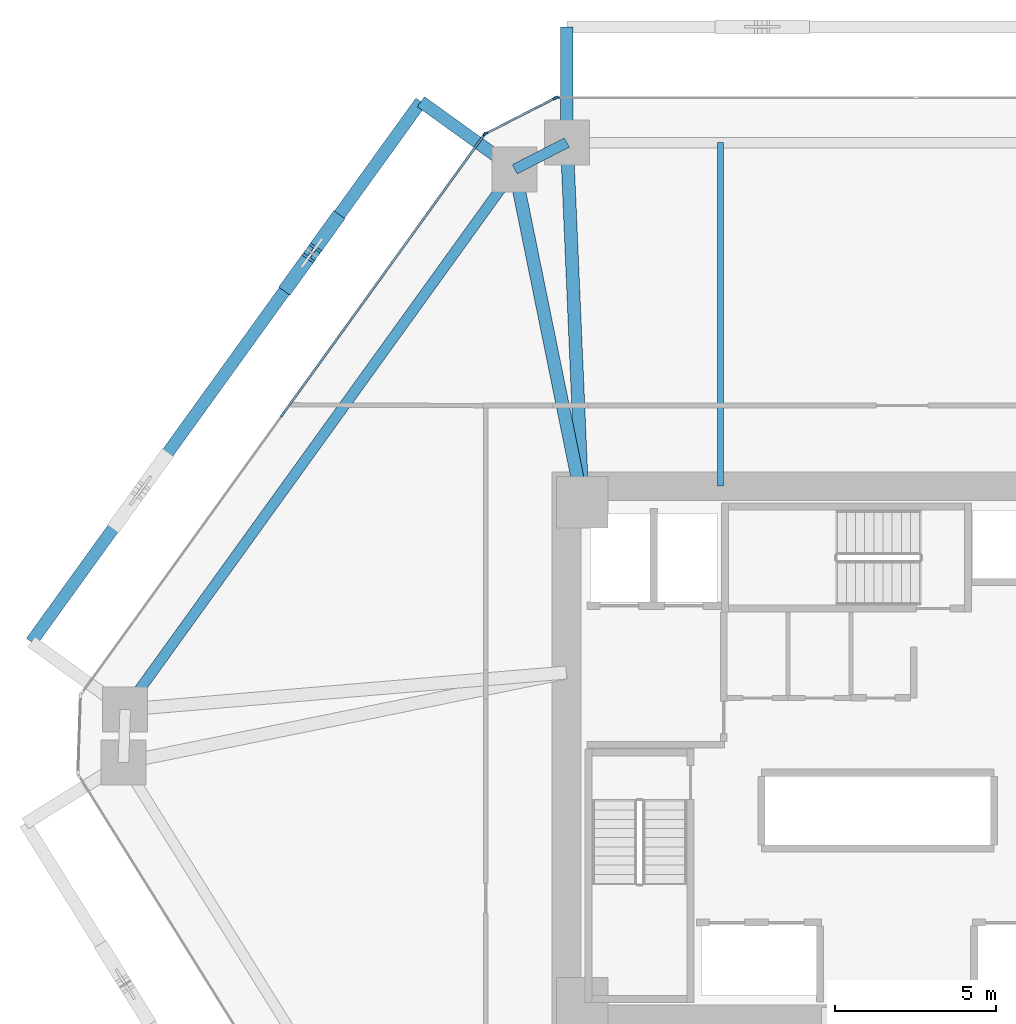
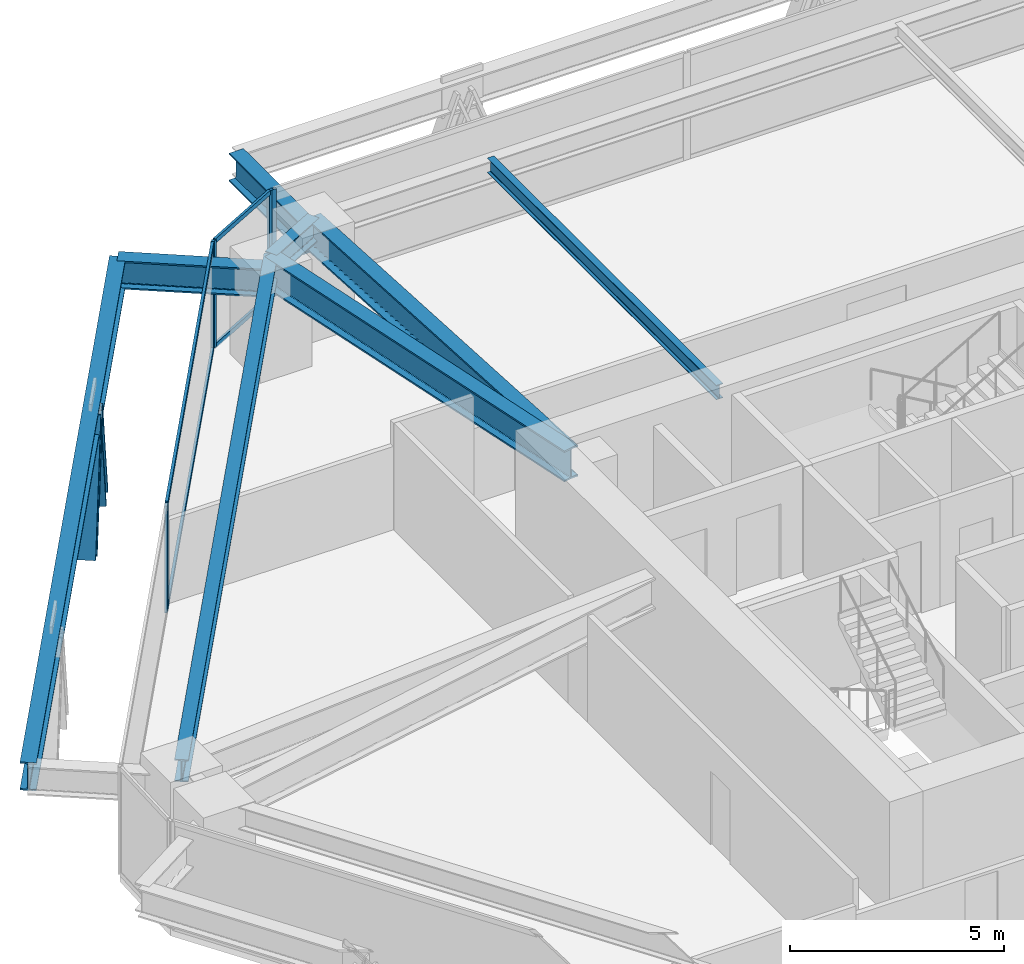
# One storey, part 7 of 16: 11 members, 8 beams, 3 elements without a shape of their own.
"""IFC4 building model written with IfcOpenShell, lengths in metres."""

from ifc_helpers import new_model, si_unit, direction, frame, origin, origin_2d, place, context, subcontext, project, spatial, rectangle, i_section, extrude, source, transform, mapped, material, layer, layer_set, material_profile, profile_set, type_object, type_shapes, element, aggregate, save


model = new_model("IFC4")

# Units and contexts
model_context = context("Model", 3, precision=1e-05, world=origin(), true_north=direction((0.0, 1.0)))
body_context = subcontext(model_context, "Body", "Model", "MODEL_VIEW")
ifc_project = project(units=[si_unit("LENGTHUNIT", "METRE"), si_unit("AREAUNIT", "SQUARE_METRE"), si_unit("VOLUMEUNIT", "CUBIC_METRE"), si_unit("PLANEANGLEUNIT", "RADIAN"), si_unit("MASSUNIT", "GRAM", prefix="KILO")], contexts=[model_context])

# Site, building, storey
site_placement = place(None, origin())
site = spatial("IfcSite", under=ifc_project, at=site_placement, CompositionType="ELEMENT")
building_placement = place(site_placement, origin())
building = spatial("IfcBuilding", under=site, at=building_placement, Name="Durnholm Broadcast Tower", CompositionType="ELEMENT")
storey_placement = place(building_placement, frame((0.0, 0.0, 65.39990234375)))
storey = spatial("IfcBuildingStorey", under=building, at=storey_placement, Name="L16", CompositionType="ELEMENT", Elevation=65.39990234375)

# Beams
ifc_material_1 = material(Name="Steel ASTM A992 Grade 50", Category="steel")
ifc_material_profile_1 = material_profile(ifc_material_1, i_section(OverallWidth=0.3291015625, OverallDepth=0.635009765625, WebThickness=0.017822265625, FlangeThickness=0.031005859375, FilletRadius=0.02783203125, at=origin_2d()), Name="W24X162")
ifc_profile_set_1 = profile_set([ifc_material_profile_1], Name="Steel ASTM A992 Grade 50")
beam_type_1 = type_object("IfcBeamType", Name="STL-SP-W24X162", PredefinedType="SPANDREL", material=ifc_profile_set_1)
shared_shape_1 = source(origin(), body_context, "Body", "SweptSolid", [
    extrude(i_section(OverallWidth=0.3291015625, OverallDepth=0.635009765625, WebThickness=0.017822265625, FlangeThickness=0.031005859375, FilletRadius=0.02783203125, at=origin_2d()), origin(), (0.0, 0.0, 1.0), 20.737060546875),
])
beam_1_placement = place(storey_placement, frame((-24.034912109375, 1.347412109375, 2.7275390625), z_axis=(0.584821933191, 0.811161701795, 0.0), x_axis=(-0.811161701795, 0.584821933191, 0.0)))
element("IfcBeam", 1, at=beam_1_placement, inside=storey, type_object=beam_type_1, Name="L16 perimeter spandrel girder 03", PredefinedType="SPANDREL", context=body_context, shape_type="MappedRepresentation", body=[
    mapped(shared_shape_1, transform((0.0, 0.0, 0.0), x_axis=(1.0, 0.0, 0.0), y_axis=(0.0, 1.0, 0.0), z_axis=(0.0, 0.0, 1.0), scale=1.0)),
])
shared_shape_2 = source(origin(), body_context, "Body", "SweptSolid", [
    extrude(i_section(OverallWidth=0.3291015625, OverallDepth=0.635009765625, WebThickness=0.017822265625, FlangeThickness=0.031005859375, FilletRadius=0.02783203125, at=origin_2d()), origin(), (0.0, 0.0, 1.0), 1.8251953125),
])
type_shapes(beam_type_1, [shared_shape_1, shared_shape_2])
beam_2_placement = place(storey_placement, frame((-11.907470703125, 18.16845703125, 2.7275390625), z_axis=(0.890187609501, 0.455594139438, 0.0), x_axis=(-0.455594139438, 0.890187609501, 0.0)))
element("IfcBeam", 2, at=beam_2_placement, inside=storey, type_object=beam_type_1, Name="L16 perimeter spandrel girder 04", PredefinedType="SPANDREL", context=body_context, shape_type="MappedRepresentation", body=[
    mapped(shared_shape_2, transform((0.0, 0.0, 0.0), x_axis=(1.0, 0.0, 0.0), y_axis=(0.0, 1.0, 0.0), z_axis=(0.0, 0.0, 1.0), scale=1.0)),
])
ifc_material_profile_2 = material_profile(ifc_material_1, i_section(OverallWidth=0.404052734375, OverallDepth=0.885009765625, WebThickness=0.0244140625, FlangeThickness=0.0439453125, FilletRadius=0.03564453125, at=origin_2d()), Name="W33X291")
ifc_profile_set_2 = profile_set([ifc_material_profile_2], Name="Steel ASTM A992 Grade 50")
beam_type_2 = type_object("IfcBeamType", Name="STL-GR-W33X291", PredefinedType="USERDEFINED", material=ifc_profile_set_2)
shared_shape_3 = source(origin(), body_context, "Body", "SweptSolid", [
    extrude(i_section(OverallWidth=0.404052734375, OverallDepth=0.885009765625, WebThickness=0.0244140625, FlangeThickness=0.0439453125, FilletRadius=0.03564453125, at=origin_2d()), origin(), (0.0, 0.0, 1.0), 10.580322265625),
])
beam_3_placement = place(storey_placement, frame((-9.800048828125, 7.800048828125, 2.6025390625), z_axis=(-0.199181458925, 0.979962625012, 0.0), x_axis=(-0.979962625012, -0.199181458925, 0.0)))
element("IfcBeam", 3, at=beam_3_placement, inside=storey, type_object=beam_type_2, Name="L16 radial primary floor girder 04", ObjectType="GIRDER", PredefinedType="USERDEFINED", context=body_context, shape_type="MappedRepresentation", body=[
    mapped(shared_shape_3, transform((0.0, 0.0, 0.0), x_axis=(1.0, 0.0, 0.0), y_axis=(0.0, 1.0, 0.0), z_axis=(0.0, 0.0, 1.0), scale=1.0)),
])
shared_shape_4 = source(origin(), body_context, "Body", "SweptSolid", [
    extrude(i_section(OverallWidth=0.404052734375, OverallDepth=0.885009765625, WebThickness=0.0244140625, FlangeThickness=0.0439453125, FilletRadius=0.03564453125, at=origin_2d()), origin(), (0.0, 0.0, 1.0), 11.21044921875),
])
type_shapes(beam_type_2, [shared_shape_3, shared_shape_4])
beam_4_placement = place(storey_placement, frame((-9.800048828125, 7.800048828125, 2.6025390625), z_axis=(-0.043055404914, 0.999072686098, 0.0), x_axis=(-0.999072686098, -0.043055404914, 0.0)))
element("IfcBeam", 4, at=beam_4_placement, inside=storey, type_object=beam_type_2, Name="L16 radial primary floor girder 05", ObjectType="GIRDER", PredefinedType="USERDEFINED", context=body_context, shape_type="MappedRepresentation", body=[
    mapped(shared_shape_4, transform((0.0, 0.0, 0.0), x_axis=(1.0, 0.0, 0.0), y_axis=(0.0, 1.0, 0.0), z_axis=(0.0, 0.0, 1.0), scale=1.0)),
])
ifc_material_profile_3 = material_profile(ifc_material_1, i_section(OverallWidth=0.180908203125, OverallDepth=0.417236328125, WebThickness=0.010986328125, FlangeThickness=0.018310546875, FilletRadius=0.01904296875, at=origin_2d()), Name="W16X57")
ifc_profile_set_3 = profile_set([ifc_material_profile_3], Name="Steel ASTM A992 Grade 50")
beam_type_3 = type_object("IfcBeamType", Name="STL-BJ-W16X57", PredefinedType="JOIST", material=ifc_profile_set_3)
shared_shape_5 = source(origin(), body_context, "Body", "SweptSolid", [
    extrude(i_section(OverallWidth=0.180908203125, OverallDepth=0.417236328125, WebThickness=0.010986328125, FlangeThickness=0.018310546875, FilletRadius=0.01904296875, at=origin_2d()), origin(), (0.0, 0.0, 1.0), 10.699951171875),
])
type_shapes(beam_type_3, [shared_shape_5])
beam_5_placement = place(storey_placement, frame((-5.5, 8.300048828125, 2.83642578125), z_axis=(0.0, 1.0, 0.0), x_axis=(-1.0, 0.0, 0.0)))
element("IfcBeam", 5, at=beam_5_placement, inside=storey, type_object=beam_type_3, Name="L16 secondary floor joist 3.2", PredefinedType="JOIST", context=body_context, shape_type="MappedRepresentation", body=[
    mapped(shared_shape_5, transform((0.0, 0.0, 0.0), x_axis=(1.0, 0.0, 0.0), y_axis=(0.0, 1.0, 0.0), z_axis=(0.0, 0.0, 1.0), scale=1.0)),
])
ifc_material_profile_4 = material_profile(ifc_material_1, i_section(OverallWidth=0.385009765625, OverallDepth=0.802978515625, WebThickness=0.023681640625, FlangeThickness=0.0419921875, FilletRadius=0.032958984375, at=origin_2d()), Name="W30X261")
ifc_profile_set_4 = profile_set([ifc_material_profile_4], Name="Steel ASTM A992 Grade 50")
beam_type_4 = type_object("IfcBeamType", Name="BM-EXO-TIE", PredefinedType="USERDEFINED", material=ifc_profile_set_4)
shared_shape_6 = source(origin(), body_context, "Body", "SweptSolid", [
    extrude(i_section(OverallWidth=0.385009765625, OverallDepth=0.802978515625, WebThickness=0.023681640625, FlangeThickness=0.0419921875, FilletRadius=0.032958984375, at=origin_2d()), origin(), (0.0, 0.0, 1.0), 3.4560546875),
])
for number, where, z_axis, x_axis, name in (
    (6, (-10.28271484375, 19.14404296875, 2.30859375), (0.0, 1.0, 0.0), (-1.0, 0.0, 0.0), "L16 exoskeleton stand-off tie bracket F4.2"),
    (7, (-12.024169921875, 18.252685546875, 2.30859375), (-0.811157675106, 0.584827518262, 0.0), (-0.584827518262, -0.811157675106, 0.0), "L16 exoskeleton stand-off tie bracket F5.1"),
):
    element("IfcBeam", number, at=place(storey_placement, frame(where, z_axis=z_axis, x_axis=x_axis)), inside=storey, type_object=beam_type_4, Name=name, ObjectType="GIRDER", PredefinedType="USERDEFINED", context=body_context, shape_type="MappedRepresentation", body=[
        mapped(shared_shape_6, transform((0.0, 0.0, 0.0), x_axis=(1.0, 0.0, 0.0), y_axis=(0.0, 1.0, 0.0), z_axis=(0.0, 0.0, 1.0), scale=1.0)),
    ])
shared_shape_7 = source(origin(), body_context, "Body", "SweptSolid", [
    extrude(i_section(OverallWidth=0.385009765625, OverallDepth=0.802978515625, WebThickness=0.023681640625, FlangeThickness=0.0419921875, FilletRadius=0.032958984375, at=origin_2d()), origin(), (0.0, 0.0, 1.0), 20.737060546875),
])
type_shapes(beam_type_4, [shared_shape_6, shared_shape_7])
beam_6_placement = place(storey_placement, frame((-14.82763671875, 20.27392578125, 2.30859375), z_axis=(-0.5848163482, -0.811165728368, 0.0), x_axis=(0.811165728368, -0.5848163482, 0.0)))
element("IfcBeam", 8, at=beam_6_placement, inside=storey, type_object=beam_type_4, Name="L16 exoskeleton collector spandrel F5", PredefinedType="SPANDREL", context=body_context, shape_type="MappedRepresentation", body=[
    mapped(shared_shape_7, transform((0.0, 0.0, 0.0), x_axis=(1.0, 0.0, 0.0), y_axis=(0.0, 1.0, 0.0), z_axis=(0.0, 0.0, 1.0), scale=1.0)),
])

# Members
ifc_material_2 = material(Name="Steel ASTM A913 Grade 65", Category="steel")
ifc_material_profile_5 = material_profile(ifc_material_2, i_section(OverallWidth=0.43212890625, OverallDepth=0.497802734375, WebThickness=0.0556640625, FlangeThickness=0.0888671875, FilletRadius=0.030517578125, at=origin_2d()), Name="W14X500")
ifc_profile_set_5 = profile_set([ifc_material_profile_5], Name="Steel ASTM A913 Grade 65")
member_type_1 = type_object("IfcMemberType", Name="STL-DG-W14X500", PredefinedType="BRACE", material=ifc_profile_set_5)
shared_shape_8 = source(origin(), body_context, "Body", "SweptSolid", [
    extrude(i_section(OverallWidth=0.43212890625, OverallDepth=0.497802734375, WebThickness=0.0556640625, FlangeThickness=0.0888671875, FilletRadius=0.030517578125, at=origin_2d()), origin(), (0.0, 0.0, 1.0), 3.52294921875),
])
type_shapes(member_type_1, [shared_shape_8])
for number, where, z_axis, x_axis, name in (
    (9, (-17.501708984375, 16.564697265625, -0.9912109375), (-0.204852434815, -0.28406296695, 0.936666275019), (0.81109123444, -0.58491966065, 0.0), "L16 stand-off diagrid brace F5.D1.1"),
    (10, (-18.94482421875, 14.563232421875, -0.9912109375), (0.204786041012, 0.284066999022, 0.93667957033), (-0.811185111535, 0.584789461963, 0.0), "L16 stand-off diagrid brace F5.D1.2"),
):
    element("IfcMember", number, at=place(storey_placement, frame(where, z_axis=z_axis, x_axis=x_axis)), inside=storey, type_object=member_type_1, Name=name, PredefinedType="BRACE", context=body_context, shape_type="MappedRepresentation", body=[
        mapped(shared_shape_8, transform((0.0, 0.0, 0.0), x_axis=(1.0, 0.0, 0.0), y_axis=(0.0, 1.0, 0.0), z_axis=(0.0, 0.0, 1.0), scale=1.0)),
    ])

# Curtain wall, members
ifc_material_3 = material(Name="Aluminium and Solar Control IGU", Category="aluminium")
ifc_layer_1 = layer(ifc_material_3, 0.1650390625)
ifc_layer_set_1 = layer_set([ifc_layer_1], Name="Aluminium and Solar Control IGU")
curtain_wall_type_1 = type_object("IfcCurtainWallType", Name="CW-SYS-5", PredefinedType="NOTDEFINED", material=ifc_layer_set_1)
curtain_wall_1_placement = place(storey_placement, origin())
curtain_wall_1 = element("IfcCurtainWall", 11, at=curtain_wall_1_placement, inside=storey, type_object=curtain_wall_type_1, Name="L16 curtain wall CW-CORNER CW-L16-CRN-03", PredefinedType="NOTDEFINED")
ifc_material_4 = material(Name="Aluminium 6063-T6", Category="aluminium")
ifc_material_profile_6 = material_profile(ifc_material_4, rectangle(XDim=0.06494140625, YDim=0.1650390625, at=origin_2d()), Name="CWM65X165")
ifc_profile_set_6 = profile_set([ifc_material_profile_6], Name="Aluminium 6063-T6")
member_type_2 = type_object("IfcMemberType", Name="CW-SYS-5-MUL", PredefinedType="MULLION", material=ifc_profile_set_6)
shared_shape_9 = source(origin(), body_context, "Body", "SweptSolid", [
    extrude(rectangle(XDim=0.06494140625, YDim=0.1650390625, at=origin_2d()), origin(), (0.0, 0.0, 1.0), 3.06005859375),
])
type_shapes(member_type_2, [shared_shape_9])
member_1_placement = place(storey_placement, frame((-12.816650390625, 19.27587890625, 0.0), z_axis=(0.0, 0.0, 1.0), x_axis=(-0.455593758406, 0.890187804512, 0.0)))
member_1 = element("IfcMember", 12, at=member_1_placement, type_object=member_type_2, Name="CW-CORNER mullion 1", PredefinedType="MULLION", context=body_context, shape_type="MappedRepresentation", body=[
    mapped(shared_shape_9, transform((0.0, 0.0, 0.0), x_axis=(1.0, 0.0, 0.0), y_axis=(0.0, 1.0, 0.0), z_axis=(0.0, 0.0, 1.0), scale=1.0)),
])
member_2_placement = place(storey_placement, frame((-10.649169921875, 20.38525390625, 0.0), z_axis=(0.0, 0.0, 1.0), x_axis=(-0.455593758406, 0.890187804512, 0.0)))
member_2 = element("IfcMember", 13, at=member_2_placement, type_object=member_type_2, Name="CW-CORNER mullion 2", PredefinedType="MULLION", context=body_context, shape_type="MappedRepresentation", body=[
    mapped(shared_shape_9, transform((0.0, 0.0, 0.0), x_axis=(1.0, 0.0, 0.0), y_axis=(0.0, 1.0, 0.0), z_axis=(0.0, 0.0, 1.0), scale=1.0)),
])
ifc_material_profile_7 = material_profile(ifc_material_4, rectangle(XDim=0.06494140625, YDim=0.1298828125, at=origin_2d()), Name="CWT65X130")
ifc_profile_set_7 = profile_set([ifc_material_profile_7], Name="Aluminium 6063-T6")
member_type_3 = type_object("IfcMemberType", Name="CW-SYS-5-TRN", PredefinedType="USERDEFINED", material=ifc_profile_set_7)
shared_shape_10 = source(origin(), body_context, "Body", "SweptSolid", [
    extrude(rectangle(XDim=0.06494140625, YDim=0.1298828125, at=origin_2d()), origin(), (0.0, 0.0, 1.0), 2.3701171875),
])
type_shapes(member_type_3, [shared_shape_10])
member_3_placement = place(storey_placement, frame((-12.787841796875, 19.29052734375, 0.03271484375), z_axis=(0.890185016934, 0.455599205033, 0.0), x_axis=(-0.455599205033, 0.890185016934, 0.0)))
member_3 = element("IfcMember", 14, at=member_3_placement, type_object=member_type_3, Name="CW-CORNER transom 1.1", ObjectType="TRANSOM", PredefinedType="USERDEFINED", context=body_context, shape_type="MappedRepresentation", body=[
    mapped(shared_shape_10, transform((0.0, 0.0, 0.0), x_axis=(1.0, 0.0, 0.0), y_axis=(0.0, 1.0, 0.0), z_axis=(0.0, 0.0, 1.0), scale=1.0)),
])
member_4_placement = place(storey_placement, frame((-12.787841796875, 19.29052734375, 3.027587890625), z_axis=(0.890185016934, 0.455599205033, 0.0), x_axis=(-0.455599205033, 0.890185016934, 0.0)))
member_4 = element("IfcMember", 15, at=member_4_placement, type_object=member_type_3, Name="CW-CORNER transom 1.2", ObjectType="TRANSOM", PredefinedType="USERDEFINED", context=body_context, shape_type="MappedRepresentation", body=[
    mapped(shared_shape_10, transform((0.0, 0.0, 0.0), x_axis=(1.0, 0.0, 0.0), y_axis=(0.0, 1.0, 0.0), z_axis=(0.0, 0.0, 1.0), scale=1.0)),
])
aggregate(curtain_wall_1, [member_1, member_2, member_3, member_4])

ifc_layer_2 = layer(ifc_material_3, 0.18994140625)
ifc_layer_set_2 = layer_set([ifc_layer_2], Name="Aluminium and Solar Control IGU")
curtain_wall_type_2 = type_object("IfcCurtainWallType", Name="CW-SYS-3", PredefinedType="NOTDEFINED", material=ifc_layer_set_2)
curtain_wall_2_placement = place(storey_placement, origin())
curtain_wall_2 = element("IfcCurtainWall", 16, at=curtain_wall_2_placement, inside=storey, type_object=curtain_wall_type_2, Name="L16 curtain wall CW-Z12-VIS CW-L16-F02", PredefinedType="NOTDEFINED")
ifc_material_profile_8 = material_profile(ifc_material_4, rectangle(XDim=0.070068359375, YDim=0.18994140625, at=origin_2d()), Name="CWM70X190")
ifc_profile_set_8 = profile_set([ifc_material_profile_8], Name="Aluminium 6063-T6")
member_type_4 = type_object("IfcMemberType", Name="CW-SYS-3-MUL", PredefinedType="MULLION", material=ifc_profile_set_8)
shared_shape_11 = source(origin(), body_context, "Body", "SweptSolid", [
    extrude(rectangle(XDim=0.070068359375, YDim=0.18994140625, at=origin_2d()), origin(), (0.0, 0.0, 1.0), 3.06005859375),
])
type_shapes(member_type_4, [shared_shape_11])
member_5_placement = place(storey_placement, frame((-19.1328125, 10.540771484375, 0.0), z_axis=(0.0, 0.0, 1.0), x_axis=(-0.81116057493, 0.584823496176, 0.0)))
member_5 = element("IfcMember", 17, at=member_5_placement, type_object=member_type_4, Name="CW-Z12-VIS mullion 2", PredefinedType="MULLION", context=body_context, shape_type="MappedRepresentation", body=[
    mapped(shared_shape_11, transform((0.0, 0.0, 0.0), x_axis=(1.0, 0.0, 0.0), y_axis=(0.0, 1.0, 0.0), z_axis=(0.0, 0.0, 1.0), scale=1.0)),
])
member_6_placement = place(storey_placement, frame((-12.8662109375, 19.232666015625, 0.0), z_axis=(0.0, 0.0, 1.0), x_axis=(-0.81116057493, 0.584823496176, 0.0)))
member_6 = element("IfcMember", 18, at=member_6_placement, type_object=member_type_4, Name="CW-Z12-VIS mullion 3", PredefinedType="MULLION", context=body_context, shape_type="MappedRepresentation", body=[
    mapped(shared_shape_11, transform((0.0, 0.0, 0.0), x_axis=(1.0, 0.0, 0.0), y_axis=(0.0, 1.0, 0.0), z_axis=(0.0, 0.0, 1.0), scale=1.0)),
])

# Curtain wall, member
curtain_wall_3_placement = place(storey_placement, origin())
curtain_wall_3 = element("IfcCurtainWall", 19, at=curtain_wall_3_placement, inside=storey, type_object=curtain_wall_type_2, Name="L16 curtain wall CW-Z12-VIS CW-L16-F04", PredefinedType="NOTDEFINED")
member_7_placement = place(storey_placement, frame((-10.585205078125, 20.39990234375, 0.0), z_axis=(0.0, 0.0, 1.0), x_axis=(0.0, 1.0, 0.0)))
member_7 = element("IfcMember", 20, at=member_7_placement, type_object=member_type_4, Name="CW-Z12-VIS mullion 1", PredefinedType="MULLION", context=body_context, shape_type="MappedRepresentation", body=[
    mapped(shared_shape_11, transform((0.0, 0.0, 0.0), x_axis=(1.0, 0.0, 0.0), y_axis=(0.0, 1.0, 0.0), z_axis=(0.0, 0.0, 1.0), scale=1.0)),
])
aggregate(curtain_wall_3, [member_7])

# Member
ifc_material_profile_9 = material_profile(ifc_material_4, rectangle(XDim=0.070068359375, YDim=0.14990234375, at=origin_2d()), Name="CWT70X150")
ifc_profile_set_9 = profile_set([ifc_material_profile_9], Name="Aluminium 6063-T6")
member_type_5 = type_object("IfcMemberType", Name="CW-SYS-3-TRN", PredefinedType="USERDEFINED", material=ifc_profile_set_9)
shared_shape_12 = source(origin(), body_context, "Body", "SweptSolid", [
    extrude(rectangle(XDim=0.070068359375, YDim=0.14990234375, at=origin_2d()), origin(), (0.0, 0.0, 1.0), 10.645263671875),
])
type_shapes(member_type_5, [shared_shape_12])
member_8_placement = place(storey_placement, frame((-19.1123046875, 10.569091796875, 0.03515625), z_axis=(0.584822983179, 0.811160944786, 0.0), x_axis=(-0.811160944786, 0.584822983179, 0.0)))
member_8 = element("IfcMember", 21, at=member_8_placement, type_object=member_type_5, Name="CW-Z12-VIS transom 2.1", ObjectType="TRANSOM", PredefinedType="USERDEFINED", context=body_context, shape_type="MappedRepresentation", body=[
    mapped(shared_shape_12, transform((0.0, 0.0, 0.0), x_axis=(1.0, 0.0, 0.0), y_axis=(0.0, 1.0, 0.0), z_axis=(0.0, 0.0, 1.0), scale=1.0)),
])

member_9_placement = place(storey_placement, frame((-19.1123046875, 10.569091796875, 3.025146484375), z_axis=(0.584822983179, 0.811160944786, 0.0), x_axis=(-0.811160944786, 0.584822983179, 0.0)))
member_9 = element("IfcMember", 22, at=member_9_placement, type_object=member_type_5, Name="CW-Z12-VIS transom 2.2", ObjectType="TRANSOM", PredefinedType="USERDEFINED", context=body_context, shape_type="MappedRepresentation", body=[
    mapped(shared_shape_12, transform((0.0, 0.0, 0.0), x_axis=(1.0, 0.0, 0.0), y_axis=(0.0, 1.0, 0.0), z_axis=(0.0, 0.0, 1.0), scale=1.0)),
])

aggregate(curtain_wall_2, [member_5, member_6, member_8, member_9])

save(model, "model.ifc")
